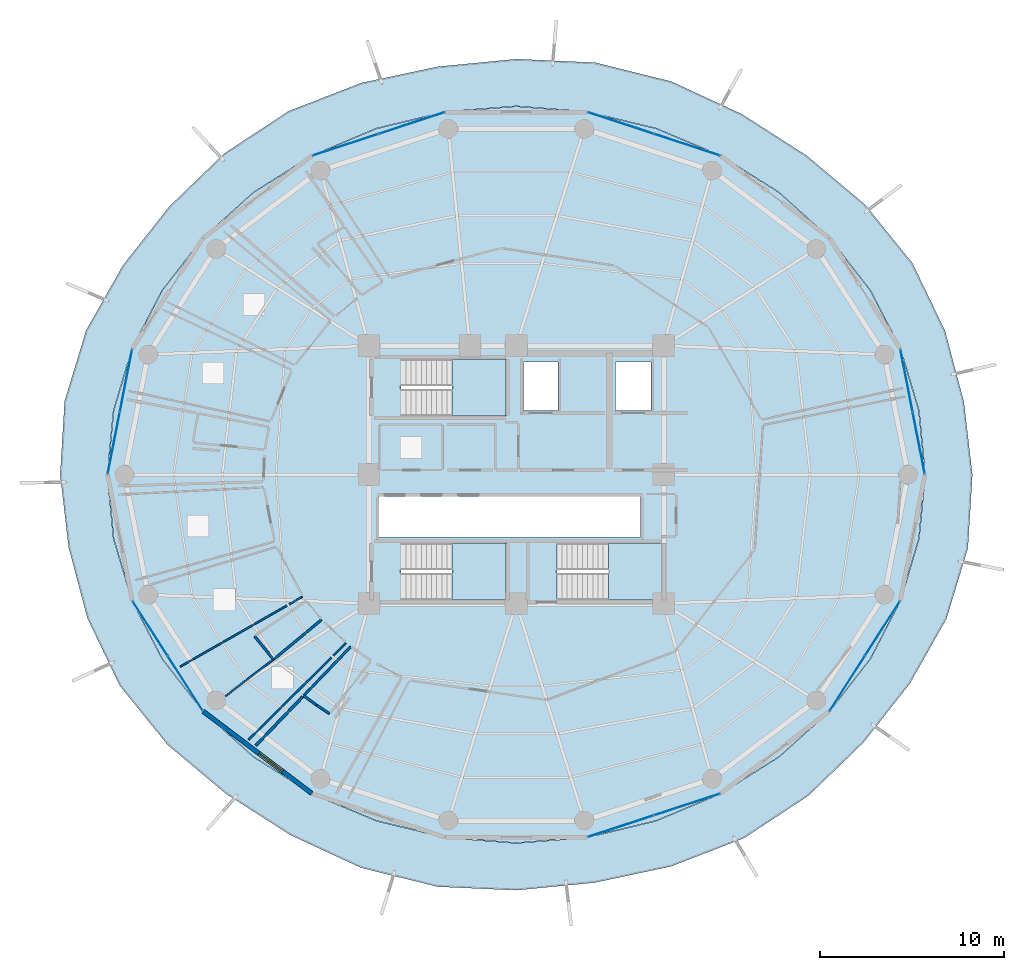
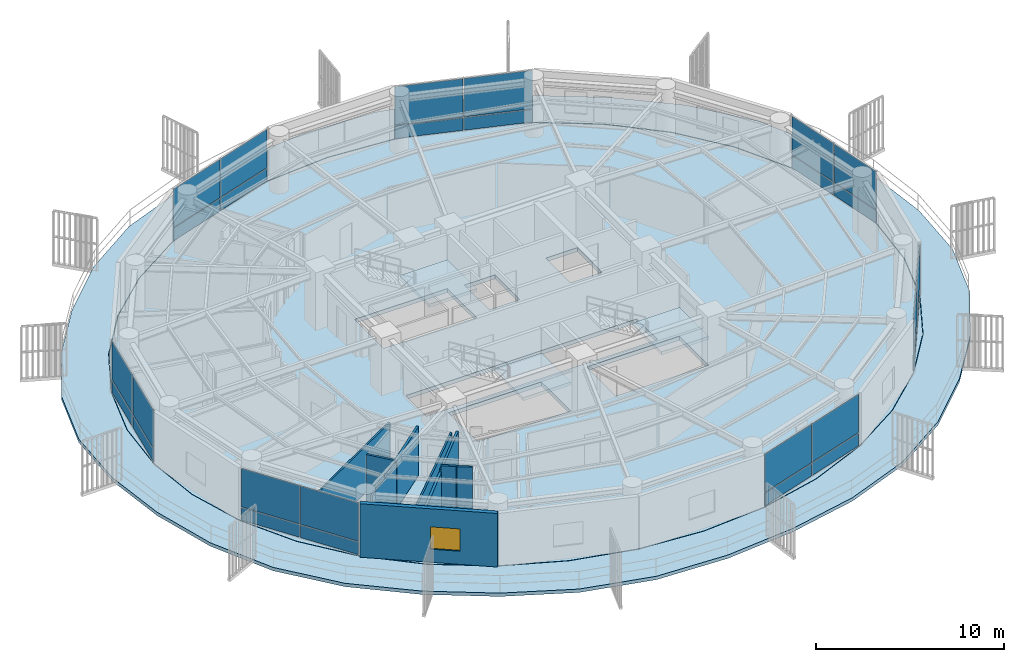
# One storey, part 23 of 31: 28 plates, 10 walls, 5 slabs, 1 window, 1 opening, 10 elements without a shape of their own.
"""IFC4 building model written with IfcOpenShell, lengths in metres."""

from ifc_helpers import new_model, si_unit, direction, frame, frame_2d, origin, origin_2d, place, context, subcontext, project, spatial, polyline, rectangle, outline, extrude, source, transform, mapped, material, layer, layer_set, type_object, element, fill, aggregate, save


model = new_model("IFC4")

# Units and contexts
model_context = context("Model", 3, precision=1e-05, world=origin(), true_north=direction((0.0, 1.0)))
body_context = subcontext(model_context, "Body", "Model", "MODEL_VIEW")
ifc_project = project(units=[si_unit("LENGTHUNIT", "METRE"), si_unit("AREAUNIT", "SQUARE_METRE"), si_unit("VOLUMEUNIT", "CUBIC_METRE"), si_unit("PLANEANGLEUNIT", "RADIAN"), si_unit("MASSUNIT", "GRAM", prefix="KILO")], contexts=[model_context])

# Site, building, storey
site_placement = place(None, origin())
site = spatial("IfcSite", under=ifc_project, at=site_placement, CompositionType="ELEMENT")
building_placement = place(site_placement, origin())
building = spatial("IfcBuilding", under=site, at=building_placement, Name="Kelanora Arch Commons", CompositionType="ELEMENT")
storey_placement = place(building_placement, frame((0.0, 0.0, 200.699951171875)))
storey = spatial("IfcBuildingStorey", under=building, at=storey_placement, Name="L51", CompositionType="ELEMENT", Elevation=200.699951171875)

# Stair, slab
ifc_material_1 = material(Name="Concrete C40/50", Category="concrete")
stair_type = type_object("IfcStairType", Name="STR-DL-375", PredefinedType="HALF_TURN_STAIR", material=ifc_material_1)
stair_1_placement = place(storey_placement, origin())
stair_1 = element("IfcStair", 1, at=stair_1_placement, inside=storey, type_object=stair_type, Name="L51 ST-T1", PredefinedType="HALF_TURN_STAIR")
ifc_layer_1 = layer(ifc_material_1, 0.199951171875)
ifc_layer_set_1 = layer_set([ifc_layer_1], Name="Concrete C40/50")
slab_type_1 = type_object("IfcSlabType", Name="SLB-STAIR-LND", PredefinedType="LANDING", material=ifc_layer_set_1)
slab_1_placement = place(storey_placement, frame((0.0, 0.0, 1.675048828125)))
slab_1 = element("IfcSlab", 2, at=slab_1_placement, type_object=slab_type_1, Name="ST-T1 landing 1", PredefinedType="LANDING", context=body_context, shape_type="SweptSolid", body=[
    extrude(outline(polyline([(70.52001953125, 61.179931640625), (73.43994140625, 61.179931640625), (73.43994140625, 64.2900390625), (70.52001953125, 64.2900390625), (70.52001953125, 61.179931640625)])), origin(), (0.0, 0.0, 1.0), 0.199951171875),
])
aggregate(stair_1, [slab_1])

stair_2_placement = place(storey_placement, origin())
stair_2 = element("IfcStair", 3, at=stair_2_placement, inside=storey, type_object=stair_type, Name="L51 ST-T2", PredefinedType="HALF_TURN_STAIR")
slab_2_placement = place(storey_placement, frame((0.0, 0.0, 1.675048828125)))
slab_2 = element("IfcSlab", 4, at=slab_2_placement, type_object=slab_type_1, Name="ST-T2 landing 1", PredefinedType="LANDING", context=body_context, shape_type="SweptSolid", body=[
    extrude(outline(polyline([(79.0, 51.179931640625), (81.919921875, 51.179931640625), (81.919921875, 54.2900390625), (79.0, 54.2900390625), (79.0, 51.179931640625)])), origin(), (0.0, 0.0, 1.0), 0.199951171875),
])
aggregate(stair_2, [slab_2])

stair_3_placement = place(storey_placement, origin())
stair_3 = element("IfcStair", 5, at=stair_3_placement, inside=storey, type_object=stair_type, Name="L51 ST-T3", PredefinedType="HALF_TURN_STAIR")
slab_3_placement = place(storey_placement, frame((0.0, 0.0, 1.675048828125)))
slab_3 = element("IfcSlab", 6, at=slab_3_placement, type_object=slab_type_1, Name="ST-T3 landing 1", PredefinedType="LANDING", context=body_context, shape_type="SweptSolid", body=[
    extrude(outline(polyline([(70.52001953125, 51.179931640625), (73.43994140625, 51.179931640625), (73.43994140625, 54.2900390625), (70.52001953125, 54.2900390625), (70.52001953125, 51.179931640625)])), origin(), (0.0, 0.0, 1.0), 0.199951171875),
])
aggregate(stair_3, [slab_3])

# Slabs
ifc_layer_2 = layer(ifc_material_1, 0.260009765625)
ifc_layer_set_2 = layer_set([ifc_layer_2], Name="Concrete C40/50")
slab_type_2 = type_object("IfcSlabType", Name="SLB-TWR-TYP", PredefinedType="FLOOR", material=ifc_layer_set_2)
slab_4_placement = place(storey_placement, frame((0.0, 0.0, -0.260009765625)))
element("IfcSlab", 7, at=slab_4_placement, inside=storey, type_object=slab_type_2, Name="Tower Floor Slab L51", PredefinedType="FLOOR", context=body_context, shape_type="SweptSolid", body=[
    extrude(outline(polyline([(96.199951171875, 58.0), (95.86279296875, 61.472900390625), (94.861083984375, 64.84033203125), (93.225830078125, 68.0), (91.006103515625, 70.855712890625), (88.27001953125, 73.32080078125), (85.10009765625, 75.320556640625), (81.5927734375, 76.7939453125), (77.85498046875, 77.6962890625), (74.0, 78.0), (70.14501953125, 77.6962890625), (66.4072265625, 76.7939453125), (62.89990234375, 75.320556640625), (59.72998046875, 73.32080078125), (56.993896484375, 70.855712890625), (54.774169921875, 68.0), (53.138916015625, 64.84033203125), (52.13720703125, 61.472900390625), (51.800048828125, 58.0), (52.13720703125, 54.527099609375), (53.138916015625, 51.15966796875), (54.774169921875, 48.0), (56.993896484375, 45.144287109375), (59.72998046875, 42.67919921875), (62.89990234375, 40.679443359375), (66.4072265625, 39.2060546875), (70.14501953125, 38.3037109375), (74.0, 38.0), (77.85498046875, 38.3037109375), (81.5927734375, 39.2060546875), (85.10009765625, 40.679443359375), (88.27001953125, 42.67919921875), (91.006103515625, 45.144287109375), (93.225830078125, 48.0), (94.861083984375, 51.15966796875), (95.86279296875, 54.527099609375), (96.199951171875, 58.0)]), holes=[polyline([(73.431884765625, 51.18798828125), (67.72802734375, 51.18798828125), (67.72802734375, 54.281982421875), (73.431884765625, 54.281982421875), (73.431884765625, 51.18798828125)]), polyline([(76.2080078125, 51.18798828125), (76.2080078125, 54.281982421875), (81.912109375, 54.281982421875), (81.912109375, 51.18798828125), (76.2080078125, 51.18798828125)]), polyline([(66.550048828125, 54.60009765625), (66.550048828125, 56.800048828125), (80.75, 56.800048828125), (80.75, 54.60009765625), (66.550048828125, 54.60009765625)]), polyline([(73.431884765625, 61.18798828125), (67.72802734375, 61.18798828125), (67.72802734375, 64.281982421875), (73.431884765625, 64.281982421875), (73.431884765625, 61.18798828125)]), polyline([(74.3798828125, 61.47998046875), (74.3798828125, 64.1201171875), (76.260009765625, 64.1201171875), (76.260009765625, 61.47998046875), (74.3798828125, 61.47998046875)]), polyline([(79.3798828125, 61.47998046875), (79.3798828125, 64.1201171875), (81.320068359375, 64.1201171875), (81.320068359375, 61.47998046875), (79.3798828125, 61.47998046875)])]), origin(), (0.0, 0.0, 1.0), 0.260009765625),
])
ifc_layer_3 = layer(ifc_material_1, 0.219970703125)
ifc_layer_set_3 = layer_set([ifc_layer_3], Name="Concrete C40/50")
slab_type_3 = type_object("IfcSlabType", Name="SLB-WAVE-BAL", PredefinedType="FLOOR", material=ifc_layer_set_3)
slab_5_placement = place(storey_placement, frame((0.0, 0.0, -0.219970703125)))
element("IfcSlab", 8, at=slab_5_placement, inside=storey, type_object=slab_type_3, Name="Sinusoidal Wave Balcony Slab L51", PredefinedType="FLOOR", context=body_context, shape_type="SweptSolid", body=[
    extrude(outline(polyline([(98.77587890625, 58.0), (98.31494140625, 61.952880859375), (97.28759765625, 65.82080078125), (95.528564453125, 69.475830078125), (92.951171875, 72.667236328125), (89.785400390625, 75.32568359375), (86.27197265625, 77.57373046875), (82.432373046875, 79.353759765625), (78.281982421875, 80.38330078125), (74.0, 80.575927734375), (69.7529296875, 80.1640625), (65.591796875, 79.280517578125), (61.637939453125, 77.7470703125), (58.127197265625, 75.441162109375), (55.15478515625, 72.568603515625), (52.635986328125, 69.370361328125), (50.640869140625, 65.849609375), (49.467041015625, 61.99560546875), (49.22412109375, 58.0), (49.68505859375, 54.047119140625), (50.71240234375, 50.17919921875), (52.471435546875, 46.524169921875), (55.048828125, 43.332763671875), (58.214599609375, 40.67431640625), (61.72802734375, 38.42626953125), (65.567626953125, 36.646240234375), (69.718017578125, 35.61669921875), (74.0, 35.424072265625), (78.2470703125, 35.8359375), (82.408203125, 36.719482421875), (86.362060546875, 38.2529296875), (89.872802734375, 40.558837890625), (92.84521484375, 43.431396484375), (95.364013671875, 46.629638671875), (97.359130859375, 50.150390625), (98.532958984375, 54.00439453125), (98.77587890625, 58.0)]), holes=[polyline([(95.88232421875, 54.523681640625), (94.8798828125, 51.15283203125), (93.2431640625, 47.989990234375), (91.021484375, 45.13134765625), (88.28271484375, 42.663818359375), (85.110107421875, 40.662109375), (81.599609375, 39.1875), (77.8583984375, 38.2841796875), (74.0, 37.97998046875), (70.1416015625, 38.2841796875), (66.400390625, 39.1875), (62.889892578125, 40.662109375), (59.71728515625, 42.663818359375), (56.978515625, 45.13134765625), (54.7568359375, 47.989990234375), (53.1201171875, 51.15283203125), (52.11767578125, 54.523681640625), (51.780029296875, 58.0), (52.11767578125, 61.476318359375), (53.1201171875, 64.84716796875), (54.7568359375, 68.010009765625), (56.978515625, 70.86865234375), (59.71728515625, 73.336181640625), (62.889892578125, 75.337890625), (66.400390625, 76.8125), (70.1416015625, 77.7158203125), (74.0, 78.02001953125), (77.8583984375, 77.7158203125), (81.599609375, 76.8125), (85.110107421875, 75.337890625), (88.28271484375, 73.336181640625), (91.021484375, 70.86865234375), (93.2431640625, 68.010009765625), (94.8798828125, 64.84716796875), (95.88232421875, 61.476318359375), (96.219970703125, 58.0), (95.88232421875, 54.523681640625)])]), origin(), (0.0, 0.0, 1.0), 0.219970703125),
])

# Curtain wall, plates
ifc_material_2 = material(Name="Terracotta ceramic-fritted low-E glass and aluminium", Category="masonry")
ifc_layer_4 = layer(ifc_material_2, 0.175048828125)
ifc_layer_set_4 = layer_set([ifc_layer_4], Name="Terracotta ceramic-fritted low-E glass and aluminium")
curtain_wall_type = type_object("IfcCurtainWallType", Name="CW-SYS-02", PredefinedType="NOTDEFINED", material=ifc_layer_set_4)
curtain_wall_1_placement = place(storey_placement, origin())
curtain_wall_1 = element("IfcCurtainWall", 9, at=curtain_wall_1_placement, inside=storey, type_object=curtain_wall_type, Name="Unitised Curtain Wall L51-B00", PredefinedType="NOTDEFINED")
ifc_material_3 = material(Name="Terracotta ceramic-fritted double glazing", Category="masonry")
ifc_layer_5 = layer(ifc_material_3, 0.028076171875)
ifc_layer_set_5 = layer_set([ifc_layer_5], Name="Terracotta ceramic-fritted double glazing")
plate_type = type_object("IfcPlateType", Name="CWP-FRIT", PredefinedType="CURTAIN_PANEL", material=ifc_layer_set_5)
shared_shape_1 = source(origin(), body_context, "Body", "SweptSolid", [
    extrude(rectangle(XDim=3.380126953125, YDim=0.028076171875, at=origin_2d()), origin(), (0.0, 0.0, 1.0), 0.81005859375),
])
plate_1_placement = place(storey_placement, frame((95.861083984375, 59.732177734375, 0.06005859375), z_axis=(0.0, 0.0, 1.0), x_axis=(-0.192068926335, 0.981381438349, 0.0)))
plate_1 = element("IfcPlate", 10, at=plate_1_placement, type_object=plate_type, Name="CW-02 panel 1.1", PredefinedType="CURTAIN_PANEL", context=body_context, shape_type="MappedRepresentation", body=[
    mapped(shared_shape_1, transform((0.0, 0.0, 0.0), scale=1.0)),
])
plate_2_placement = place(storey_placement, frame((95.2001953125, 63.108154296875, 0.06005859375), z_axis=(0.0, 0.0, 1.0), x_axis=(-0.192068926335, 0.981381438349, 0.0)))
plate_2 = element("IfcPlate", 11, at=plate_2_placement, type_object=plate_type, Name="CW-02 panel 2.1", PredefinedType="CURTAIN_PANEL", context=body_context, shape_type="MappedRepresentation", body=[
    mapped(shared_shape_1, transform((0.0, 0.0, 0.0), scale=1.0)),
])

curtain_wall_2_placement = place(storey_placement, origin())
curtain_wall_2 = element("IfcCurtainWall", 12, at=curtain_wall_2_placement, inside=storey, type_object=curtain_wall_type, Name="Unitised Curtain Wall L51-B08", PredefinedType="NOTDEFINED")
plate_3_placement = place(storey_placement, frame((52.7998046875, 63.108154296875, 0.06005859375), z_axis=(0.0, 0.0, 1.0), x_axis=(-0.192068926335, -0.981381438349, 0.0)))
plate_3 = element("IfcPlate", 13, at=plate_3_placement, type_object=plate_type, Name="CW-02 panel 1.1", PredefinedType="CURTAIN_PANEL", context=body_context, shape_type="MappedRepresentation", body=[
    mapped(shared_shape_1, transform((0.0, 0.0, 0.0), scale=1.0)),
])
plate_4_placement = place(storey_placement, frame((52.138916015625, 59.732177734375, 0.06005859375), z_axis=(0.0, 0.0, 1.0), x_axis=(-0.192068926335, -0.981381438349, 0.0)))
plate_4 = element("IfcPlate", 14, at=plate_4_placement, type_object=plate_type, Name="CW-02 panel 2.1", PredefinedType="CURTAIN_PANEL", context=body_context, shape_type="MappedRepresentation", body=[
    mapped(shared_shape_1, transform((0.0, 0.0, 0.0), scale=1.0)),
])

# Plate
shared_shape_2 = source(origin(), body_context, "Body", "SweptSolid", [
    extrude(rectangle(XDim=3.380126953125, YDim=0.028076171875, at=origin_2d()), origin(), (0.0, 0.0, 1.0), 2.485107421875),
])
plate_5_placement = place(storey_placement, frame((95.861083984375, 59.732177734375, 0.93017578125), z_axis=(0.0, 0.0, 1.0), x_axis=(-0.192068926335, 0.981381438349, 0.0)))
plate_5 = element("IfcPlate", 15, at=plate_5_placement, type_object=plate_type, Name="CW-02 panel 1.2", PredefinedType="CURTAIN_PANEL", context=body_context, shape_type="MappedRepresentation", body=[
    mapped(shared_shape_2, transform((0.0, 0.0, 0.0), scale=1.0)),
])

plate_6_placement = place(storey_placement, frame((95.2001953125, 63.108154296875, 0.93017578125), z_axis=(0.0, 0.0, 1.0), x_axis=(-0.192068926335, 0.981381438349, 0.0)))
plate_6 = element("IfcPlate", 16, at=plate_6_placement, type_object=plate_type, Name="CW-02 panel 2.2", PredefinedType="CURTAIN_PANEL", context=body_context, shape_type="MappedRepresentation", body=[
    mapped(shared_shape_2, transform((0.0, 0.0, 0.0), scale=1.0)),
])

aggregate(curtain_wall_1, [plate_1, plate_5, plate_2, plate_6])

plate_7_placement = place(storey_placement, frame((52.7998046875, 63.108154296875, 0.93017578125), z_axis=(0.0, 0.0, 1.0), x_axis=(-0.192068926335, -0.981381438349, 0.0)))
plate_7 = element("IfcPlate", 17, at=plate_7_placement, type_object=plate_type, Name="CW-02 panel 1.2", PredefinedType="CURTAIN_PANEL", context=body_context, shape_type="MappedRepresentation", body=[
    mapped(shared_shape_2, transform((0.0, 0.0, 0.0), scale=1.0)),
])

plate_8_placement = place(storey_placement, frame((52.138916015625, 59.732177734375, 0.93017578125), z_axis=(0.0, 0.0, 1.0), x_axis=(-0.192068926335, -0.981381438349, 0.0)))
plate_8 = element("IfcPlate", 18, at=plate_8_placement, type_object=plate_type, Name="CW-02 panel 2.2", PredefinedType="CURTAIN_PANEL", context=body_context, shape_type="MappedRepresentation", body=[
    mapped(shared_shape_2, transform((0.0, 0.0, 0.0), scale=1.0)),
])

aggregate(curtain_wall_2, [plate_3, plate_7, plate_4, plate_8])

# Curtain wall, plates
curtain_wall_3_placement = place(storey_placement, origin())
curtain_wall_3 = element("IfcCurtainWall", 19, at=curtain_wall_3_placement, inside=storey, type_object=curtain_wall_type, Name="Unitised Curtain Wall L51-B03", PredefinedType="NOTDEFINED")
shared_shape_3 = source(origin(), body_context, "Body", "SweptSolid", [
    extrude(rectangle(XDim=3.707275390625, YDim=0.028076171875, at=origin_2d()), origin(), (0.0, 0.0, 1.0), 0.81005859375),
])
plate_9_placement = place(storey_placement, frame((83.267333984375, 75.92138671875, 0.06005859375), z_axis=(0.0, 0.0, 1.0), x_axis=(-0.950219124029, 0.311582439059, 0.0)))
plate_9 = element("IfcPlate", 20, at=plate_9_placement, type_object=plate_type, Name="CW-02 panel 1.1", PredefinedType="CURTAIN_PANEL", context=body_context, shape_type="MappedRepresentation", body=[
    mapped(shared_shape_3, transform((0.0, 0.0, 0.0), scale=1.0)),
])
plate_10_placement = place(storey_placement, frame((79.687744140625, 77.09521484375, 0.06005859375), z_axis=(0.0, 0.0, 1.0), x_axis=(-0.950219124029, 0.311582439059, 0.0)))
plate_10 = element("IfcPlate", 21, at=plate_10_placement, type_object=plate_type, Name="CW-02 panel 2.1", PredefinedType="CURTAIN_PANEL", context=body_context, shape_type="MappedRepresentation", body=[
    mapped(shared_shape_3, transform((0.0, 0.0, 0.0), scale=1.0)),
])

curtain_wall_4_placement = place(storey_placement, origin())
curtain_wall_4 = element("IfcCurtainWall", 22, at=curtain_wall_4_placement, inside=storey, type_object=curtain_wall_type, Name="Unitised Curtain Wall L51-B05", PredefinedType="NOTDEFINED")
plate_11_placement = place(storey_placement, frame((68.312255859375, 77.09521484375, 0.06005859375), z_axis=(0.0, 0.0, 1.0), x_axis=(-0.950219124029, -0.311582439059, 0.0)))
plate_11 = element("IfcPlate", 23, at=plate_11_placement, type_object=plate_type, Name="CW-02 panel 1.1", PredefinedType="CURTAIN_PANEL", context=body_context, shape_type="MappedRepresentation", body=[
    mapped(shared_shape_3, transform((0.0, 0.0, 0.0), scale=1.0)),
])
plate_12_placement = place(storey_placement, frame((64.732666015625, 75.92138671875, 0.06005859375), z_axis=(0.0, 0.0, 1.0), x_axis=(-0.950219124029, -0.311582439059, 0.0)))
plate_12 = element("IfcPlate", 24, at=plate_12_placement, type_object=plate_type, Name="CW-02 panel 2.1", PredefinedType="CURTAIN_PANEL", context=body_context, shape_type="MappedRepresentation", body=[
    mapped(shared_shape_3, transform((0.0, 0.0, 0.0), scale=1.0)),
])

curtain_wall_5_placement = place(storey_placement, origin())
curtain_wall_5 = element("IfcCurtainWall", 25, at=curtain_wall_5_placement, inside=storey, type_object=curtain_wall_type, Name="Unitised Curtain Wall L51-B14", PredefinedType="NOTDEFINED")
plate_13_placement = place(storey_placement, frame((79.687744140625, 38.90478515625, 0.06005859375), z_axis=(0.0, 0.0, 1.0), x_axis=(0.950219124029, 0.311582439059, 0.0)))
plate_13 = element("IfcPlate", 26, at=plate_13_placement, type_object=plate_type, Name="CW-02 panel 1.1", PredefinedType="CURTAIN_PANEL", context=body_context, shape_type="MappedRepresentation", body=[
    mapped(shared_shape_3, transform((0.0, 0.0, 0.0), scale=1.0)),
])
plate_14_placement = place(storey_placement, frame((83.267333984375, 40.07861328125, 0.06005859375), z_axis=(0.0, 0.0, 1.0), x_axis=(0.950219124029, 0.311582439059, 0.0)))
plate_14 = element("IfcPlate", 27, at=plate_14_placement, type_object=plate_type, Name="CW-02 panel 2.1", PredefinedType="CURTAIN_PANEL", context=body_context, shape_type="MappedRepresentation", body=[
    mapped(shared_shape_3, transform((0.0, 0.0, 0.0), scale=1.0)),
])

# Plate
shared_shape_4 = source(origin(), body_context, "Body", "SweptSolid", [
    extrude(rectangle(XDim=3.707275390625, YDim=0.028076171875, at=origin_2d()), origin(), (0.0, 0.0, 1.0), 2.485107421875),
])
plate_15_placement = place(storey_placement, frame((83.267333984375, 75.92138671875, 0.93017578125), z_axis=(0.0, 0.0, 1.0), x_axis=(-0.950219124029, 0.311582439059, 0.0)))
plate_15 = element("IfcPlate", 28, at=plate_15_placement, type_object=plate_type, Name="CW-02 panel 1.2", PredefinedType="CURTAIN_PANEL", context=body_context, shape_type="MappedRepresentation", body=[
    mapped(shared_shape_4, transform((0.0, 0.0, 0.0), scale=1.0)),
])

plate_16_placement = place(storey_placement, frame((79.687744140625, 77.09521484375, 0.93017578125), z_axis=(0.0, 0.0, 1.0), x_axis=(-0.950219124029, 0.311582439059, 0.0)))
plate_16 = element("IfcPlate", 29, at=plate_16_placement, type_object=plate_type, Name="CW-02 panel 2.2", PredefinedType="CURTAIN_PANEL", context=body_context, shape_type="MappedRepresentation", body=[
    mapped(shared_shape_4, transform((0.0, 0.0, 0.0), scale=1.0)),
])

aggregate(curtain_wall_3, [plate_9, plate_15, plate_10, plate_16])

plate_17_placement = place(storey_placement, frame((68.312255859375, 77.09521484375, 0.93017578125), z_axis=(0.0, 0.0, 1.0), x_axis=(-0.950219124029, -0.311582439059, 0.0)))
plate_17 = element("IfcPlate", 30, at=plate_17_placement, type_object=plate_type, Name="CW-02 panel 1.2", PredefinedType="CURTAIN_PANEL", context=body_context, shape_type="MappedRepresentation", body=[
    mapped(shared_shape_4, transform((0.0, 0.0, 0.0), scale=1.0)),
])

plate_18_placement = place(storey_placement, frame((64.732666015625, 75.92138671875, 0.93017578125), z_axis=(0.0, 0.0, 1.0), x_axis=(-0.950219124029, -0.311582439059, 0.0)))
plate_18 = element("IfcPlate", 31, at=plate_18_placement, type_object=plate_type, Name="CW-02 panel 2.2", PredefinedType="CURTAIN_PANEL", context=body_context, shape_type="MappedRepresentation", body=[
    mapped(shared_shape_4, transform((0.0, 0.0, 0.0), scale=1.0)),
])

aggregate(curtain_wall_4, [plate_11, plate_17, plate_12, plate_18])

plate_19_placement = place(storey_placement, frame((79.687744140625, 38.90478515625, 0.93017578125), z_axis=(0.0, 0.0, 1.0), x_axis=(0.950219124029, 0.311582439059, 0.0)))
plate_19 = element("IfcPlate", 32, at=plate_19_placement, type_object=plate_type, Name="CW-02 panel 1.2", PredefinedType="CURTAIN_PANEL", context=body_context, shape_type="MappedRepresentation", body=[
    mapped(shared_shape_4, transform((0.0, 0.0, 0.0), scale=1.0)),
])

plate_20_placement = place(storey_placement, frame((83.267333984375, 40.07861328125, 0.93017578125), z_axis=(0.0, 0.0, 1.0), x_axis=(0.950219124029, 0.311582439059, 0.0)))
plate_20 = element("IfcPlate", 33, at=plate_20_placement, type_object=plate_type, Name="CW-02 panel 2.2", PredefinedType="CURTAIN_PANEL", context=body_context, shape_type="MappedRepresentation", body=[
    mapped(shared_shape_4, transform((0.0, 0.0, 0.0), scale=1.0)),
])

aggregate(curtain_wall_5, [plate_13, plate_19, plate_14, plate_20])

# Curtain wall, plates
curtain_wall_6_placement = place(storey_placement, origin())
curtain_wall_6 = element("IfcCurtainWall", 34, at=curtain_wall_6_placement, inside=storey, type_object=curtain_wall_type, Name="Unitised Curtain Wall L51-B10", PredefinedType="NOTDEFINED")
shared_shape_5 = source(origin(), body_context, "Body", "SweptSolid", [
    extrude(rectangle(XDim=3.46728515625, YDim=0.028076171875, at=origin_2d()), origin(), (0.0, 0.0, 1.0), 0.81005859375),
])
plate_21_placement = place(storey_placement, frame((54.11474609375, 49.63671875, 0.06005859375), z_axis=(0.0, 0.0, 1.0), x_axis=(0.539559338994, -0.84194757539, 0.0)))
plate_21 = element("IfcPlate", 35, at=plate_21_placement, type_object=plate_type, Name="CW-02 panel 1.1", PredefinedType="CURTAIN_PANEL", context=body_context, shape_type="MappedRepresentation", body=[
    mapped(shared_shape_5, transform((0.0, 0.0, 0.0), scale=1.0)),
])
plate_22_placement = place(storey_placement, frame((56.017822265625, 46.6669921875, 0.06005859375), z_axis=(0.0, 0.0, 1.0), x_axis=(0.539559338994, -0.84194757539, 0.0)))
plate_22 = element("IfcPlate", 36, at=plate_22_placement, type_object=plate_type, Name="CW-02 panel 2.1", PredefinedType="CURTAIN_PANEL", context=body_context, shape_type="MappedRepresentation", body=[
    mapped(shared_shape_5, transform((0.0, 0.0, 0.0), scale=1.0)),
])

curtain_wall_7_placement = place(storey_placement, origin())
curtain_wall_7 = element("IfcCurtainWall", 37, at=curtain_wall_7_placement, inside=storey, type_object=curtain_wall_type, Name="Unitised Curtain Wall L51-B16", PredefinedType="NOTDEFINED")
plate_23_placement = place(storey_placement, frame((91.982177734375, 46.6669921875, 0.06005859375), z_axis=(0.0, 0.0, 1.0), x_axis=(0.539559338994, 0.84194757539, 0.0)))
plate_23 = element("IfcPlate", 38, at=plate_23_placement, type_object=plate_type, Name="CW-02 panel 1.1", PredefinedType="CURTAIN_PANEL", context=body_context, shape_type="MappedRepresentation", body=[
    mapped(shared_shape_5, transform((0.0, 0.0, 0.0), scale=1.0)),
])
plate_24_placement = place(storey_placement, frame((93.88525390625, 49.63671875, 0.06005859375), z_axis=(0.0, 0.0, 1.0), x_axis=(0.539559338994, 0.84194757539, 0.0)))
plate_24 = element("IfcPlate", 39, at=plate_24_placement, type_object=plate_type, Name="CW-02 panel 2.1", PredefinedType="CURTAIN_PANEL", context=body_context, shape_type="MappedRepresentation", body=[
    mapped(shared_shape_5, transform((0.0, 0.0, 0.0), scale=1.0)),
])

# Plate
shared_shape_6 = source(origin(), body_context, "Body", "SweptSolid", [
    extrude(rectangle(XDim=3.46728515625, YDim=0.028076171875, at=origin_2d()), origin(), (0.0, 0.0, 1.0), 2.485107421875),
])
plate_25_placement = place(storey_placement, frame((54.11474609375, 49.63671875, 0.93017578125), z_axis=(0.0, 0.0, 1.0), x_axis=(0.539559338994, -0.84194757539, 0.0)))
plate_25 = element("IfcPlate", 40, at=plate_25_placement, type_object=plate_type, Name="CW-02 panel 1.2", PredefinedType="CURTAIN_PANEL", context=body_context, shape_type="MappedRepresentation", body=[
    mapped(shared_shape_6, transform((0.0, 0.0, 0.0), scale=1.0)),
])

plate_26_placement = place(storey_placement, frame((56.017822265625, 46.6669921875, 0.93017578125), z_axis=(0.0, 0.0, 1.0), x_axis=(0.539559338994, -0.84194757539, 0.0)))
plate_26 = element("IfcPlate", 41, at=plate_26_placement, type_object=plate_type, Name="CW-02 panel 2.2", PredefinedType="CURTAIN_PANEL", context=body_context, shape_type="MappedRepresentation", body=[
    mapped(shared_shape_6, transform((0.0, 0.0, 0.0), scale=1.0)),
])

aggregate(curtain_wall_6, [plate_21, plate_25, plate_22, plate_26])

plate_27_placement = place(storey_placement, frame((91.982177734375, 46.6669921875, 0.93017578125), z_axis=(0.0, 0.0, 1.0), x_axis=(0.539559338994, 0.84194757539, 0.0)))
plate_27 = element("IfcPlate", 42, at=plate_27_placement, type_object=plate_type, Name="CW-02 panel 1.2", PredefinedType="CURTAIN_PANEL", context=body_context, shape_type="MappedRepresentation", body=[
    mapped(shared_shape_6, transform((0.0, 0.0, 0.0), scale=1.0)),
])

plate_28_placement = place(storey_placement, frame((93.88525390625, 49.63671875, 0.93017578125), z_axis=(0.0, 0.0, 1.0), x_axis=(0.539559338994, 0.84194757539, 0.0)))
plate_28 = element("IfcPlate", 43, at=plate_28_placement, type_object=plate_type, Name="CW-02 panel 2.2", PredefinedType="CURTAIN_PANEL", context=body_context, shape_type="MappedRepresentation", body=[
    mapped(shared_shape_6, transform((0.0, 0.0, 0.0), scale=1.0)),
])

aggregate(curtain_wall_7, [plate_23, plate_27, plate_24, plate_28])

# Wall
ifc_material_4 = material(Name="Autoclaved aerated concrete blockwork with fire plaster", Category="masonry")
ifc_layer_6 = layer(ifc_material_4, 0.14990234375)
ifc_layer_set_6 = layer_set([ifc_layer_6], Name="Autoclaved aerated concrete blockwork with fire plaster")
wall_type_1 = type_object("IfcWallType", Name="W-COMP-150", PredefinedType="PARTITIONING", material=ifc_layer_set_6)
wall_1_placement = place(storey_placement, frame((59.854736328125, 43.287841796875, 0.0), z_axis=(0.0, 0.0, 1.0), x_axis=(0.692562282737, 0.72135808343, 0.0)))
element("IfcWall", 44, at=wall_1_placement, inside=storey, type_object=wall_type_1, Name="Co-Living Studio L51-08 Enclosure Partition 5", PredefinedType="PARTITIONING", context=body_context, shape_type="SweptSolid", body=[
    extrude(rectangle(XDim=3.671142578125, YDim=0.14990234375, at=frame_2d((1.83544921875, 0.0))), origin(), (0.0, 0.0, 1.0), 3.074951171875),
])

# Wall, opening, window
ifc_material_5 = material(Name="Precast concrete C40/50 upper-zone terracotta rainscreen", Category="masonry")
ifc_layer_7 = layer(ifc_material_5, 0.239990234375)
ifc_layer_set_7 = layer_set([ifc_layer_7], Name="Precast concrete C40/50 upper-zone terracotta rainscreen")
wall_type_2 = type_object("IfcWallType", Name="W-EXT-TC2", PredefinedType="SOLIDWALL", material=ifc_layer_set_7)
wall_2_placement = place(storey_placement, frame((57.005859375, 45.13525390625, 0.0), z_axis=(0.0, 0.0, 1.0), x_axis=(0.797701674595, -0.603052268338, 0.0)))
wall_2 = element("IfcWall", 45, at=wall_2_placement, inside=storey, type_object=wall_type_2, Name="Terracotta Exterior Wall L51-B11", PredefinedType="SOLIDWALL", context=body_context, shape_type="SweptSolid", body=[
    extrude(rectangle(XDim=7.373779296875, YDim=0.239990234375, at=frame_2d((3.68701171875, 0.0))), origin(), (0.0, 0.0, 1.0), 3.47509765625),
])
opening_placement = place(wall_2_placement, frame((3.787109375, 0.0, 0.85009765625)))
opening = element("IfcOpeningElement", 46, at=opening_placement, cuts=wall_2, Name="Opening WN-01", PredefinedType="OPENING", context=body_context, shape_type="SweptSolid", body=[
    extrude(rectangle(XDim=1.60009765625, YDim=1.449951171875, at=frame_2d((0.800048828125, 0.72509765625))), frame((0.0, 0.1298828125, 0.0), z_axis=(0.0, -1.0, 0.0), x_axis=(1.0, 0.0, 0.0)), (0.0, 0.0, 1.0), 0.260009765625),
])
ifc_material_6 = material(Name="Terracotta-anodised aluminium frame with operable low-E glazing", Category="masonry")
window_type = type_object("IfcWindowType", Name="WIN-CL-18", PartitioningType="DOUBLE_PANEL_VERTICAL", PredefinedType="WINDOW", material=ifc_material_6)
window_placement = place(opening_placement, origin())
window = element("IfcWindow", 47, at=window_placement, inside=storey, type_object=window_type, Name="Co-Living Operable Window L51-B11", OverallHeight=1.449951171875, OverallWidth=1.60009765625, PartitioningType="SINGLE_PANEL", PredefinedType="WINDOW", context=body_context, shape_type="SweptSolid", body=[
    extrude(rectangle(XDim=1.60009765625, YDim=1.449951171875, at=frame_2d((0.800048828125, 0.72509765625))), frame((0.0, 0.030029296875, 0.0), z_axis=(0.0, -1.0, 0.0), x_axis=(1.0, 0.0, 0.0)), (0.0, 0.0, 1.0), 0.06005859375),
])
fill(opening, window)

# Walls
ifc_material_7 = material(Name="Lightweight fire-rated acoustic stud partition")
ifc_layer_8 = layer(ifc_material_7, 0.10009765625)
ifc_layer_set_8 = layer_set([ifc_layer_8], Name="Lightweight fire-rated acoustic stud partition")
wall_type_3 = type_object("IfcWallType", Name="W-PART-100", PredefinedType="PARTITIONING", material=ifc_layer_set_8)
wall_3_placement = place(storey_placement, frame((62.37939453125, 51.364013671875, 0.0), z_axis=(0.0, 0.0, 1.0), x_axis=(-0.868127220156, -0.496341746808, 0.0)))
element("IfcWall", 48, at=wall_3_placement, inside=storey, type_object=wall_type_3, Name="Social Sky Lounge L51-06 Enclosure Partition 2", PredefinedType="PARTITIONING", context=body_context, shape_type="SweptSolid", body=[
    extrude(rectangle(XDim=7.648193359375, YDim=0.10009765625, at=frame_2d((3.82421875, 0.0))), origin(), (0.0, 0.0, 1.0), 3.025146484375),
])
wall_4_placement = place(storey_placement, frame((64.74462890625, 48.8408203125, 0.0), z_axis=(0.0, 0.0, 1.0), x_axis=(-0.710363664194, -0.703834827635, 0.0)))
element("IfcWall", 49, at=wall_4_placement, inside=storey, type_object=wall_type_3, Name="Tutorial Study Alcove L51-07 Enclosure Partition 2", PredefinedType="PARTITIONING", context=body_context, shape_type="SweptSolid", body=[
    extrude(rectangle(XDim=7.44140625, YDim=0.10009765625, at=frame_2d((3.720703125, 0.0))), origin(), (0.0, 0.0, 1.0), 3.074951171875),
])
wall_5_placement = place(storey_placement, frame((58.19677734375, 45.968505859375, 0.0), z_axis=(0.0, 0.0, 1.0), x_axis=(0.79535379018, 0.606145484555, 0.0)))
element("IfcWall", 50, at=wall_5_placement, inside=storey, type_object=wall_type_3, Name="Tutorial Study Alcove L51-07 Enclosure Partition 4", PredefinedType="PARTITIONING", context=body_context, shape_type="SweptSolid", body=[
    extrude(rectangle(XDim=3.308349609375, YDim=0.10009765625, at=frame_2d((1.654296875, 0.0))), origin(), (0.0, 0.0, 1.0), 3.025146484375),
])
ifc_material_8 = material(Name="Moisture-resistant fire-rated cement-board plumbing wall")
ifc_layer_9 = layer(ifc_material_8, 0.1298828125)
ifc_layer_set_9 = layer_set([ifc_layer_9], Name="Moisture-resistant fire-rated cement-board plumbing wall")
wall_type_4 = type_object("IfcWallType", Name="W-WET-120", PredefinedType="PLUMBINGWALL", material=ifc_layer_set_9)
wall_6_placement = place(storey_placement, frame((63.41748046875, 50.115234375, 0.0), z_axis=(0.0, 0.0, 1.0), x_axis=(-0.76963081868, -0.638489156477, 0.0)))
element("IfcWall", 51, at=wall_6_placement, inside=storey, type_object=wall_type_4, Name="Accessible Shared Floor WC L51-07 Enclosure Partition 2", PredefinedType="PLUMBINGWALL", context=body_context, shape_type="SweptSolid", body=[
    extrude(rectangle(XDim=3.3603515625, YDim=0.1298828125, at=frame_2d((1.68017578125, 0.0))), origin(), (0.0, 0.0, 1.0), 3.175048828125),
])
wall_7_placement = place(storey_placement, frame((60.803466796875, 47.972412109375, 0.0), z_axis=(0.0, 0.0, 1.0), x_axis=(-0.631048835574, 0.775743106396, 0.0)))
element("IfcWall", 52, at=wall_7_placement, inside=storey, type_object=wall_type_4, Name="Accessible Shared Floor WC L51-07 Enclosure Partition 3", PredefinedType="PLUMBINGWALL", context=body_context, shape_type="SweptSolid", body=[
    extrude(rectangle(XDim=1.611328125, YDim=0.1298828125, at=frame_2d((0.8056640625, 0.0))), origin(), (0.0, 0.0, 1.0), 3.175048828125),
])
wall_8_placement = place(storey_placement, frame((63.851318359375, 45.01513671875, 0.0), z_axis=(0.0, 0.0, 1.0), x_axis=(-0.833365951339, 0.552721621749, 0.0)))
element("IfcWall", 53, at=wall_8_placement, inside=storey, type_object=wall_type_4, Name="En-Suite Shower WC L51-08 Enclosure Partition 4", PredefinedType="PLUMBINGWALL", context=body_context, shape_type="SweptSolid", body=[
    extrude(rectangle(XDim=0.826416015625, YDim=0.1298828125, at=frame_2d((0.4130859375, 0.0))), origin(), (0.0, 0.0, 1.0), 3.47998046875),
])
wall_9_placement = place(storey_placement, frame((63.1298828125, 45.494873046875, 0.0), z_axis=(0.0, 0.0, 1.0), x_axis=(-0.805130367536, 0.593097876638, 0.0)))
element("IfcWall", 54, at=wall_9_placement, inside=storey, type_object=wall_type_4, Name="En-Suite Shower WC L51-08 Enclosure Partition 5", PredefinedType="PLUMBINGWALL", context=body_context, shape_type="SweptSolid", body=[
    extrude(rectangle(XDim=0.8232421875, YDim=0.1298828125, at=frame_2d((0.41162109375, 0.0))), origin(), (0.0, 0.0, 1.0), 3.47998046875),
])
wall_10_placement = place(storey_placement, frame((62.46484375, 46.009521484375, 0.0), z_axis=(0.0, 0.0, 1.0), x_axis=(0.693241598237, 0.720705270186, 0.0)))
element("IfcWall", 55, at=wall_10_placement, inside=storey, type_object=wall_type_4, Name="En-Suite Shower WC L51-08 Enclosure Partition 6", PredefinedType="PLUMBINGWALL", context=body_context, shape_type="SweptSolid", body=[
    extrude(rectangle(XDim=3.67138671875, YDim=0.1298828125, at=frame_2d((1.835693359375, 0.0))), origin(), (0.0, 0.0, 1.0), 3.175048828125),
])

save(model, "model.ifc")
